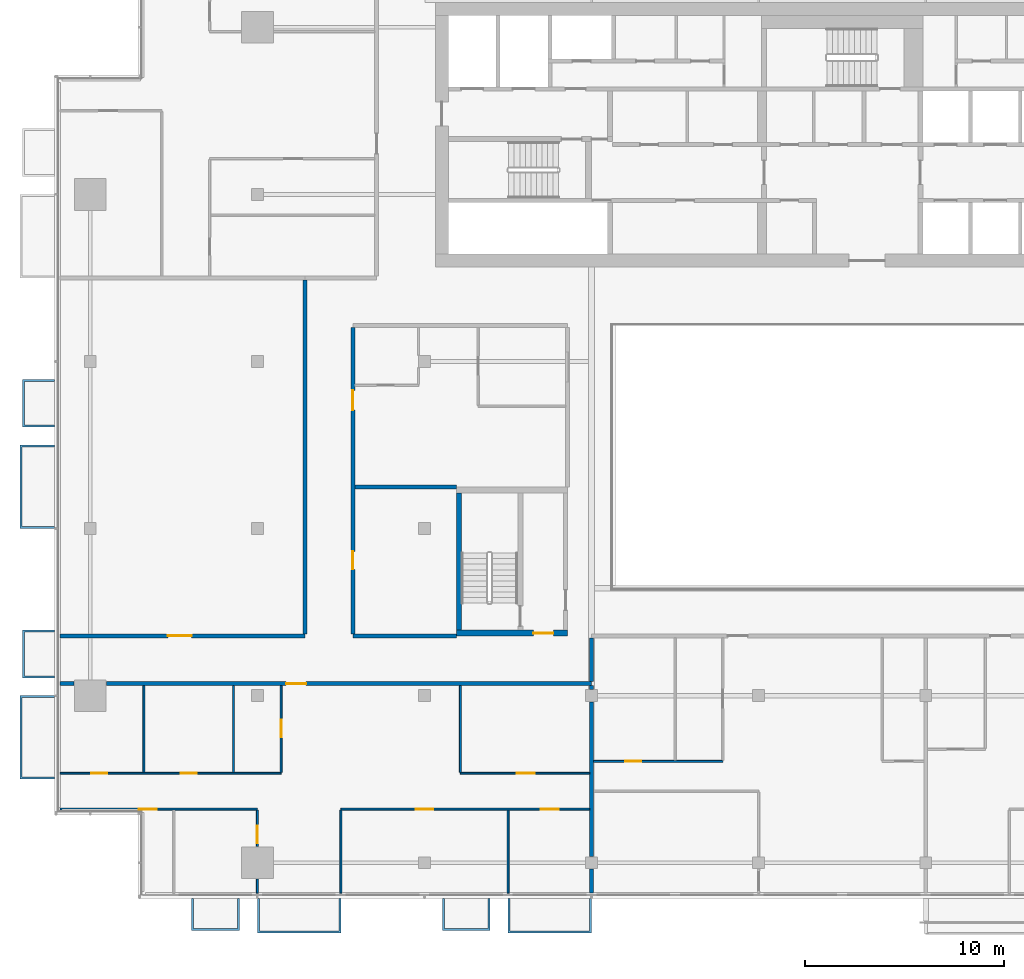
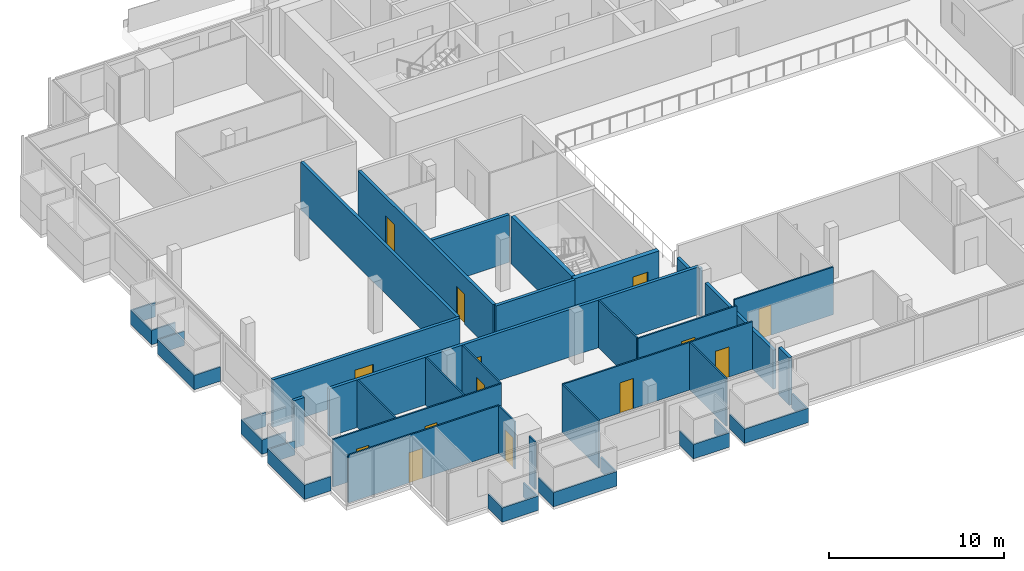
# One storey, part 17 of 27: 34 walls, 14 doors, 14 openings.
"""IFC4 building model written with IfcOpenShell, lengths in metres."""

from ifc_helpers import new_model, si_unit, direction, frame, frame_2d, origin, place, context, subcontext, project, spatial, polyline, rectangle, outline, extrude, material, layer, layer_set, type_object, element, fill, save


model = new_model("IFC4")

# Units and contexts
model_context = context("Model", 3, precision=1e-05, world=origin(), true_north=direction((0.0, 1.0)))
body_context = subcontext(model_context, "Body", "Model", "MODEL_VIEW")
ifc_project = project(units=[si_unit("LENGTHUNIT", "METRE"), si_unit("AREAUNIT", "SQUARE_METRE"), si_unit("VOLUMEUNIT", "CUBIC_METRE"), si_unit("PLANEANGLEUNIT", "RADIAN"), si_unit("MASSUNIT", "GRAM", prefix="KILO")], contexts=[model_context])

# Site, building, storey
site_placement = place(None, origin())
site = spatial("IfcSite", under=ifc_project, at=site_placement, CompositionType="ELEMENT")
building_placement = place(site_placement, origin())
building = spatial("IfcBuilding", under=site, at=building_placement, Name="Saffron Gate Tower", CompositionType="ELEMENT")
storey_placement = place(building_placement, frame((0.0, 0.0, 212.699951171875)))
storey = spatial("IfcBuildingStorey", under=building, at=storey_placement, Name="L51", CompositionType="ELEMENT", Elevation=212.699951171875)

# Wall
ifc_material_1 = material(Name="Concrete C60", Category="concrete")
ifc_layer_1 = layer(ifc_material_1, 0.25)
ifc_layer_set_1 = layer_set([ifc_layer_1], Name="CW14 RC core wall 250 C60")
wall_type_1 = type_object("IfcWallType", Name="CW14 RC core wall 250 C60", PredefinedType="SOLIDWALL", material=ifc_layer_set_1)
wall_1_placement = place(storey_placement, frame((68.324951171875, 43.5, 0.0), z_axis=(0.0, 0.0, 1.0), x_axis=(0.0, 1.0, 0.0)))
element("IfcWall", 1, at=wall_1_placement, inside=storey, type_object=wall_type_1, Name="Wall CW14-L51-D-2", PredefinedType="SOLIDWALL", context=body_context, shape_type="SweptSolid", body=[
    extrude(rectangle(XDim=6.89990234375, YDim=0.25, at=frame_2d((3.449951171875, 0.0))), origin(), (0.0, 0.0, 1.0), 3.320068359375),
])

# Wall, opening, door
ifc_layer_2 = layer(ifc_material_1, 0.300048828125)
ifc_layer_set_2 = layer_set([ifc_layer_2], Name="CW17 RC core wall 300 C60")
wall_type_2 = type_object("IfcWallType", Name="CW17 RC core wall 300 C60", PredefinedType="SOLIDWALL", material=ifc_layer_set_2)
wall_2_placement = place(storey_placement, frame((68.199951171875, 43.35009765625, 0.0), z_axis=(0.0, 0.0, 1.0), x_axis=(1.0, 0.0, 0.0)))
wall_2 = element("IfcWall", 2, at=wall_2_placement, inside=storey, type_object=wall_type_2, Name="Wall CW17-L51-D-1", PredefinedType="SOLIDWALL", context=body_context, shape_type="SweptSolid", body=[
    extrude(rectangle(XDim=5.60009765625, YDim=0.300048828125, at=frame_2d((2.800048828125, 0.0))), origin(), (0.0, 0.0, 1.0), 3.320068359375),
])
opening_1_placement = place(wall_2_placement, frame((3.875, 0.0, 0.0)))
opening_1 = element("IfcOpeningElement", 3, at=opening_1_placement, cuts=wall_2, Name="Opening CR-18", PredefinedType="OPENING", context=body_context, shape_type="SweptSolid", body=[
    extrude(rectangle(XDim=1.0, YDim=2.10009765625, at=frame_2d((0.5, 1.050048828125))), frame((0.0, 0.16015625, 0.0), z_axis=(0.0, -1.0, 0.0), x_axis=(1.0, 0.0, 0.0)), (0.0, 0.0, 1.0), 0.320068359375),
])
ifc_material_2 = material(Name="Steel fire door set", Category="steel")
door_type_1 = type_object("IfcDoorType", Name="CD4 Lobby door 1000x2100 EI 120", OperationType="NOTDEFINED", PredefinedType="DOOR", material=ifc_material_2)
door_1_placement = place(opening_1_placement, origin())
door_1 = element("IfcDoor", 4, at=door_1_placement, inside=storey, type_object=door_type_1, Name="DOOR CR-18", OperationType="SINGLE_SWING_RIGHT", OverallHeight=2.10009765625, OverallWidth=1.0, PredefinedType="DOOR", context=body_context, shape_type="SweptSolid", body=[
    extrude(rectangle(XDim=1.0, YDim=2.10009765625, at=frame_2d((0.5, 1.050048828125))), frame((0.0, 0.02490234375, 0.0), z_axis=(0.0, -1.0, 0.0), x_axis=(1.0, 0.0, 0.0)), (0.0, 0.0, 1.0), 0.050048828125),
])
fill(opening_1, door_1)

ifc_material_3 = material(Name="Plasterboard on steel studs", Category="steel")
ifc_layer_3 = layer(ifc_material_3, 0.10009765625)
ifc_layer_set_3 = layer_set([ifc_layer_3], Name="PW1 Partition 100")
wall_type_3 = type_object("IfcWallType", Name="PW1 Partition 100", PredefinedType="PARTITIONING", material=ifc_layer_set_3)
wall_3_placement = place(storey_placement, frame((58.199951171875, 34.5, 0.0), z_axis=(0.0, 0.0, 1.0), x_axis=(-1.0, 0.0, 0.0)))
wall_3 = element("IfcWall", 5, at=wall_3_placement, inside=storey, type_object=wall_type_3, Name="Partition D1-1", PredefinedType="PARTITIONING", context=body_context, shape_type="SweptSolid", body=[
    extrude(rectangle(XDim=9.919921875, YDim=0.10009765625, at=frame_2d((4.9599609375, 0.0))), origin(), (0.0, 0.0, 1.0), 3.320068359375),
])
opening_2_placement = place(wall_3_placement, frame((5.0537109375, 0.0, 0.0)))
opening_2 = element("IfcOpeningElement", 6, at=opening_2_placement, cuts=wall_3, Name="Opening D1-9", PredefinedType="OPENING", context=body_context, shape_type="SweptSolid", body=[
    extrude(rectangle(XDim=0.89990234375, YDim=2.10009765625, at=frame_2d((0.449951171875, 1.050048828125))), frame((0.0, 0.06005859375, 0.0), z_axis=(0.0, -1.0, 0.0), x_axis=(1.0, 0.0, 0.0)), (0.0, 0.0, 1.0), 0.1201171875),
])
ifc_material_4 = material(Name="Timber door set", Category="wood")
door_type_2 = type_object("IfcDoorType", Name="RD1 Room door 900x2100", OperationType="NOTDEFINED", PredefinedType="DOOR", material=ifc_material_4)
door_2_placement = place(opening_2_placement, origin())
door_2 = element("IfcDoor", 7, at=door_2_placement, inside=storey, type_object=door_type_2, Name="Door D1-9", OperationType="SINGLE_SWING_LEFT", OverallHeight=2.10009765625, OverallWidth=0.89990234375, PredefinedType="DOOR", context=body_context, shape_type="SweptSolid", body=[
    extrude(rectangle(XDim=0.89990234375, YDim=2.10009765625, at=frame_2d((0.449951171875, 1.050048828125))), frame((0.0, 0.02490234375, 0.0), z_axis=(0.0, -1.0, 0.0), x_axis=(1.0, 0.0, 0.0)), (0.0, 0.0, 1.0), 0.050048828125),
])
fill(opening_2, door_2)

# Wall, openings, doors
wall_4_placement = place(storey_placement, frame((74.89990234375, 34.5, 0.0), z_axis=(0.0, 0.0, 1.0), x_axis=(-1.0, 0.0, 0.0)))
wall_4 = element("IfcWall", 8, at=wall_4_placement, inside=storey, type_object=wall_type_3, Name="Partition D1-2", PredefinedType="PARTITIONING", context=body_context, shape_type="SweptSolid", body=[
    extrude(rectangle(XDim=12.5, YDim=0.10009765625, at=frame_2d((6.25, 0.0))), origin(), (0.0, 0.0, 1.0), 3.320068359375),
])
opening_3_placement = place(wall_4_placement, frame((1.550048828125, 0.0, 0.0)))
opening_3 = element("IfcOpeningElement", 9, at=opening_3_placement, cuts=wall_4, Name="Opening D1-12", PredefinedType="OPENING", context=body_context, shape_type="SweptSolid", body=[
    extrude(rectangle(XDim=0.89990234375, YDim=2.10009765625, at=frame_2d((0.449951171875, 1.050048828125))), frame((0.0, 0.06005859375, 0.0), z_axis=(0.0, -1.0, 0.0), x_axis=(1.0, 0.0, 0.0)), (0.0, 0.0, 1.0), 0.1201171875),
])
opening_4_placement = place(wall_4_placement, frame((7.85009765625, 0.0, 0.0)))
opening_4 = element("IfcOpeningElement", 10, at=opening_4_placement, cuts=wall_4, Name="Opening D1-11", PredefinedType="OPENING", context=body_context, shape_type="SweptSolid", body=[
    extrude(rectangle(XDim=0.89990234375, YDim=2.10009765625, at=frame_2d((0.449951171875, 1.050048828125))), frame((0.0, 0.06005859375, 0.0), z_axis=(0.0, -1.0, 0.0), x_axis=(1.0, 0.0, 0.0)), (0.0, 0.0, 1.0), 0.1201171875),
])
door_3_placement = place(opening_3_placement, origin())
door_3 = element("IfcDoor", 11, at=door_3_placement, inside=storey, type_object=door_type_2, Name="Door D1-12", OperationType="SINGLE_SWING_LEFT", OverallHeight=2.10009765625, OverallWidth=0.89990234375, PredefinedType="DOOR", context=body_context, shape_type="SweptSolid", body=[
    extrude(rectangle(XDim=0.89990234375, YDim=2.10009765625, at=frame_2d((0.449951171875, 1.050048828125))), frame((0.0, 0.02490234375, 0.0), z_axis=(0.0, -1.0, 0.0), x_axis=(1.0, 0.0, 0.0)), (0.0, 0.0, 1.0), 0.050048828125),
])
fill(opening_3, door_3)
door_4_placement = place(opening_4_placement, origin())
door_4 = element("IfcDoor", 12, at=door_4_placement, inside=storey, type_object=door_type_2, Name="Door D1-11", OperationType="SINGLE_SWING_RIGHT", OverallHeight=2.10009765625, OverallWidth=0.89990234375, PredefinedType="DOOR", context=body_context, shape_type="SweptSolid", body=[
    extrude(rectangle(XDim=0.89990234375, YDim=2.10009765625, at=frame_2d((0.449951171875, 1.050048828125))), frame((0.0, 0.02490234375, 0.0), z_axis=(0.0, -1.0, 0.0), x_axis=(1.0, 0.0, 0.0)), (0.0, 0.0, 1.0), 0.050048828125),
])
fill(opening_4, door_4)

wall_5_placement = place(storey_placement, frame((48.280029296875, 36.300048828125, 0.0), z_axis=(0.0, 0.0, 1.0), x_axis=(1.0, 0.0, 0.0)))
wall_5 = element("IfcWall", 13, at=wall_5_placement, inside=storey, type_object=wall_type_3, Name="Partition D1-5", PredefinedType="PARTITIONING", context=body_context, shape_type="SweptSolid", body=[
    extrude(rectangle(XDim=11.119873046875, YDim=0.10009765625, at=frame_2d((5.56005859375, 0.0))), origin(), (0.0, 0.0, 1.0), 3.320068359375),
])
opening_5_placement = place(wall_5_placement, frame((1.570068359375, 0.0, 0.0)))
opening_5 = element("IfcOpeningElement", 14, at=opening_5_placement, cuts=wall_5, Name="Opening D1-32", PredefinedType="OPENING", context=body_context, shape_type="SweptSolid", body=[
    extrude(rectangle(XDim=0.800048828125, YDim=2.10009765625, at=frame_2d((0.39990234375, 1.050048828125))), frame((0.0, 0.06005859375, 0.0), z_axis=(0.0, -1.0, 0.0), x_axis=(1.0, 0.0, 0.0)), (0.0, 0.0, 1.0), 0.1201171875),
])
opening_6_placement = place(wall_5_placement, frame((6.070068359375, 0.0, 0.0)))
opening_6 = element("IfcOpeningElement", 15, at=opening_6_placement, cuts=wall_5, Name="Opening D1-33", PredefinedType="OPENING", context=body_context, shape_type="SweptSolid", body=[
    extrude(rectangle(XDim=0.800048828125, YDim=2.10009765625, at=frame_2d((0.39990234375, 1.050048828125))), frame((0.0, 0.06005859375, 0.0), z_axis=(0.0, -1.0, 0.0), x_axis=(1.0, 0.0, 0.0)), (0.0, 0.0, 1.0), 0.1201171875),
])
door_type_3 = type_object("IfcDoorType", Name="RD2 Bathroom door 800x2100", OperationType="NOTDEFINED", PredefinedType="DOOR", material=ifc_material_4)
door_5_placement = place(opening_5_placement, origin())
door_5 = element("IfcDoor", 16, at=door_5_placement, inside=storey, type_object=door_type_3, Name="Door D1-32", OperationType="SINGLE_SWING_LEFT", OverallHeight=2.10009765625, OverallWidth=0.800048828125, PredefinedType="DOOR", context=body_context, shape_type="SweptSolid", body=[
    extrude(rectangle(XDim=0.800048828125, YDim=2.10009765625, at=frame_2d((0.39990234375, 1.050048828125))), frame((0.0, 0.02490234375, 0.0), z_axis=(0.0, -1.0, 0.0), x_axis=(1.0, 0.0, 0.0)), (0.0, 0.0, 1.0), 0.050048828125),
])
fill(opening_5, door_5)
door_6_placement = place(opening_6_placement, origin())
door_6 = element("IfcDoor", 17, at=door_6_placement, inside=storey, type_object=door_type_3, Name="Door D1-33", OperationType="SINGLE_SWING_LEFT", OverallHeight=2.10009765625, OverallWidth=0.800048828125, PredefinedType="DOOR", context=body_context, shape_type="SweptSolid", body=[
    extrude(rectangle(XDim=0.800048828125, YDim=2.10009765625, at=frame_2d((0.39990234375, 1.050048828125))), frame((0.0, 0.02490234375, 0.0), z_axis=(0.0, -1.0, 0.0), x_axis=(1.0, 0.0, 0.0)), (0.0, 0.0, 1.0), 0.050048828125),
])
fill(opening_6, door_6)

# Wall, opening, door
wall_6_placement = place(storey_placement, frame((68.39990234375, 36.300048828125, 0.0), z_axis=(0.0, 0.0, 1.0), x_axis=(1.0, 0.0, 0.0)))
wall_6 = element("IfcWall", 18, at=wall_6_placement, inside=storey, type_object=wall_type_3, Name="Partition D1-6", PredefinedType="PARTITIONING", context=body_context, shape_type="SweptSolid", body=[
    extrude(rectangle(XDim=6.5, YDim=0.10009765625, at=frame_2d((3.25, 0.0))), origin(), (0.0, 0.0, 1.0), 3.320068359375),
])
opening_7_placement = place(wall_6_placement, frame((2.85009765625, 0.0, 0.0)))
opening_7 = element("IfcOpeningElement", 19, at=opening_7_placement, cuts=wall_6, Name="Opening D1-13", PredefinedType="OPENING", context=body_context, shape_type="SweptSolid", body=[
    extrude(rectangle(XDim=0.89990234375, YDim=2.10009765625, at=frame_2d((0.449951171875, 1.050048828125))), frame((0.0, 0.06005859375, 0.0), z_axis=(0.0, -1.0, 0.0), x_axis=(1.0, 0.0, 0.0)), (0.0, 0.0, 1.0), 0.1201171875),
])
door_7_placement = place(opening_7_placement, origin())
door_7 = element("IfcDoor", 20, at=door_7_placement, inside=storey, type_object=door_type_2, Name="Door D1-13", OperationType="SINGLE_SWING_RIGHT", OverallHeight=2.10009765625, OverallWidth=0.89990234375, PredefinedType="DOOR", context=body_context, shape_type="SweptSolid", body=[
    extrude(rectangle(XDim=0.89990234375, YDim=2.10009765625, at=frame_2d((0.449951171875, 1.050048828125))), frame((0.0, 0.02490234375, 0.0), z_axis=(0.0, -1.0, 0.0), x_axis=(1.0, 0.0, 0.0)), (0.0, 0.0, 1.0), 0.050048828125),
])
fill(opening_7, door_7)

wall_7_placement = place(storey_placement, frame((75.10009765625, 36.89990234375, 0.0), z_axis=(0.0, 0.0, 1.0), x_axis=(1.0, 0.0, 0.0)))
wall_7 = element("IfcWall", 21, at=wall_7_placement, inside=storey, type_object=wall_type_3, Name="Partition D1-9", PredefinedType="PARTITIONING", context=body_context, shape_type="SweptSolid", body=[
    extrude(rectangle(XDim=6.5, YDim=0.10009765625, at=frame_2d((3.25, 0.0))), origin(), (0.0, 0.0, 1.0), 3.320068359375),
])
opening_8_placement = place(wall_7_placement, frame((1.603271484375, 0.0, 0.0)))
opening_8 = element("IfcOpeningElement", 22, at=opening_8_placement, cuts=wall_7, Name="Opening D1-34", PredefinedType="OPENING", context=body_context, shape_type="SweptSolid", body=[
    extrude(rectangle(XDim=0.800048828125, YDim=2.10009765625, at=frame_2d((0.39990234375, 1.050048828125))), frame((0.0, 0.06005859375, 0.0), z_axis=(0.0, -1.0, 0.0), x_axis=(1.0, 0.0, 0.0)), (0.0, 0.0, 1.0), 0.1201171875),
])
door_8_placement = place(opening_8_placement, origin())
door_8 = element("IfcDoor", 23, at=door_8_placement, inside=storey, type_object=door_type_3, Name="Door D1-34", OperationType="SINGLE_SWING_LEFT", OverallHeight=2.10009765625, OverallWidth=0.800048828125, PredefinedType="DOOR", context=body_context, shape_type="SweptSolid", body=[
    extrude(rectangle(XDim=0.800048828125, YDim=2.10009765625, at=frame_2d((0.39990234375, 1.050048828125))), frame((0.0, 0.02490234375, 0.0), z_axis=(0.0, -1.0, 0.0), x_axis=(1.0, 0.0, 0.0)), (0.0, 0.0, 1.0), 0.050048828125),
])
fill(opening_8, door_8)

# Walls
for number, where, z_axis, x_axis, name in (
    (24, (52.5, 40.699951171875, 0.0), (0.0, 0.0, 1.0), (0.0, -1.0, 0.0), "Partition D1-45"),
    (25, (57.0, 40.699951171875, 0.0), (0.0, 0.0, 1.0), (0.0, -1.0, 0.0), "Partition D1-50"),
):
    element("IfcWall", number, at=place(storey_placement, frame(where, z_axis=z_axis, x_axis=x_axis)), inside=storey, type_object=wall_type_3, Name=name, PredefinedType="PARTITIONING", context=body_context, shape_type="SweptSolid", body=[
        extrude(rectangle(XDim=4.349853515625, YDim=0.10009765625, at=frame_2d((2.1748046875, 0.0))), origin(), (0.0, 0.0, 1.0), 3.320068359375),
    ])
wall_8_placement = place(storey_placement, frame((58.199951171875, 30.97998046875, 0.0), z_axis=(0.0, 0.0, 1.0), x_axis=(0.0, -1.0, 0.0)))
element("IfcWall", 26, at=wall_8_placement, inside=storey, type_object=wall_type_3, Name="Partition D1-51", PredefinedType="PARTITIONING", context=body_context, shape_type="SweptSolid", body=[
    extrude(rectangle(XDim=0.699951171875, YDim=0.10009765625, at=frame_2d((0.35009765625, 0.0))), origin(), (0.0, 0.0, 1.0), 3.320068359375),
])

# Wall, opening, door
wall_9_placement = place(storey_placement, frame((58.199951171875, 32.6201171875, 0.0), z_axis=(0.0, 0.0, 1.0), x_axis=(0.0, 1.0, 0.0)))
wall_9 = element("IfcWall", 27, at=wall_9_placement, inside=storey, type_object=wall_type_3, Name="Partition D1-52", PredefinedType="PARTITIONING", context=body_context, shape_type="SweptSolid", body=[
    extrude(rectangle(XDim=1.829833984375, YDim=0.10009765625, at=frame_2d((0.9150390625, 0.0))), origin(), (0.0, 0.0, 1.0), 3.320068359375),
])
opening_9_placement = place(wall_9_placement, frame((0.14990234375, 0.0, 0.0)))
opening_9 = element("IfcOpeningElement", 28, at=opening_9_placement, cuts=wall_9, Name="Opening D1-10", PredefinedType="OPENING", context=body_context, shape_type="SweptSolid", body=[
    extrude(rectangle(XDim=0.89990234375, YDim=2.10009765625, at=frame_2d((0.449951171875, 1.050048828125))), frame((0.0, 0.06005859375, 0.0), z_axis=(0.0, -1.0, 0.0), x_axis=(1.0, 0.0, 0.0)), (0.0, 0.0, 1.0), 0.1201171875),
])
door_9_placement = place(opening_9_placement, origin())
door_9 = element("IfcDoor", 29, at=door_9_placement, inside=storey, type_object=door_type_2, Name="Door D1-10", OperationType="SINGLE_SWING_LEFT", OverallHeight=2.10009765625, OverallWidth=0.89990234375, PredefinedType="DOOR", context=body_context, shape_type="SweptSolid", body=[
    extrude(rectangle(XDim=0.89990234375, YDim=2.10009765625, at=frame_2d((0.449951171875, 1.050048828125))), frame((0.0, 0.02490234375, 0.0), z_axis=(0.0, -1.0, 0.0), x_axis=(1.0, 0.0, 0.0)), (0.0, 0.0, 1.0), 0.050048828125),
])
fill(opening_9, door_9)

wall_10_placement = place(storey_placement, frame((59.39990234375, 36.35009765625, 0.0), z_axis=(0.0, 0.0, 1.0), x_axis=(0.0, 1.0, 0.0)))
wall_10 = element("IfcWall", 30, at=wall_10_placement, inside=storey, type_object=wall_type_3, Name="Partition D1-53", PredefinedType="PARTITIONING", context=body_context, shape_type="SweptSolid", body=[
    extrude(rectangle(XDim=4.349853515625, YDim=0.10009765625, at=frame_2d((2.1748046875, 0.0))), origin(), (0.0, 0.0, 1.0), 3.320068359375),
])
opening_10_placement = place(wall_10_placement, frame((1.75, 0.0, 0.0)))
opening_10 = element("IfcOpeningElement", 31, at=opening_10_placement, cuts=wall_10, Name="Opening D1-14", PredefinedType="OPENING", context=body_context, shape_type="SweptSolid", body=[
    extrude(rectangle(XDim=0.89990234375, YDim=2.10009765625, at=frame_2d((0.449951171875, 1.050048828125))), frame((0.0, 0.06005859375, 0.0), z_axis=(0.0, -1.0, 0.0), x_axis=(1.0, 0.0, 0.0)), (0.0, 0.0, 1.0), 0.1201171875),
])
door_10_placement = place(opening_10_placement, origin())
door_10 = element("IfcDoor", 32, at=door_10_placement, inside=storey, type_object=door_type_2, Name="Door D1-14", OperationType="SINGLE_SWING_RIGHT", OverallHeight=2.10009765625, OverallWidth=0.89990234375, PredefinedType="DOOR", context=body_context, shape_type="SweptSolid", body=[
    extrude(rectangle(XDim=0.89990234375, YDim=2.10009765625, at=frame_2d((0.449951171875, 1.050048828125))), frame((0.0, 0.02490234375, 0.0), z_axis=(0.0, -1.0, 0.0), x_axis=(1.0, 0.0, 0.0)), (0.0, 0.0, 1.0), 0.050048828125),
])
fill(opening_10, door_10)

# Walls
wall_11_placement = place(storey_placement, frame((62.39990234375, 34.449951171875, 0.0), z_axis=(0.0, 0.0, 1.0), x_axis=(0.0, -1.0, 0.0)))
element("IfcWall", 33, at=wall_11_placement, inside=storey, type_object=wall_type_3, Name="Partition D1-55", PredefinedType="PARTITIONING", context=body_context, shape_type="SweptSolid", body=[
    extrude(rectangle(XDim=4.169921875, YDim=0.10009765625, at=frame_2d((2.0849609375, 0.0))), origin(), (0.0, 0.0, 1.0), 3.320068359375),
])
wall_12_placement = place(storey_placement, frame((68.39990234375, 40.699951171875, 0.0), z_axis=(0.0, 0.0, 1.0), x_axis=(0.0, -1.0, 0.0)))
element("IfcWall", 34, at=wall_12_placement, inside=storey, type_object=wall_type_3, Name="Partition D1-60", PredefinedType="PARTITIONING", context=body_context, shape_type="SweptSolid", body=[
    extrude(rectangle(XDim=4.349853515625, YDim=0.10009765625, at=frame_2d((2.1748046875, 0.0))), origin(), (0.0, 0.0, 1.0), 3.320068359375),
])
wall_13_placement = place(storey_placement, frame((70.800048828125, 34.449951171875, 0.0), z_axis=(0.0, 0.0, 1.0), x_axis=(0.0, -1.0, 0.0)))
element("IfcWall", 35, at=wall_13_placement, inside=storey, type_object=wall_type_3, Name="Partition D1-62", PredefinedType="PARTITIONING", context=body_context, shape_type="SweptSolid", body=[
    extrude(rectangle(XDim=4.169921875, YDim=0.10009765625, at=frame_2d((2.0849609375, 0.0))), origin(), (0.0, 0.0, 1.0), 3.320068359375),
])
ifc_material_5 = material(Name="Clay brick masonry, rendered", Category="masonry")
ifc_layer_4 = layer(ifc_material_5, 0.199951171875)
ifc_layer_set_4 = layer_set([ifc_layer_4], Name="PW2 Demising wall 200")
wall_type_4 = type_object("IfcWallType", Name="PW2 Demising wall 200", PredefinedType="PARTITIONING", material=ifc_layer_set_4)
wall_14_placement = place(storey_placement, frame((63.10009765625, 50.699951171875, 0.0), z_axis=(0.0, 0.0, 1.0), x_axis=(1.0, 0.0, 0.0)))
element("IfcWall", 36, at=wall_14_placement, inside=storey, type_object=wall_type_4, Name="Wall D1-21", PredefinedType="PARTITIONING", context=body_context, shape_type="SweptSolid", body=[
    extrude(rectangle(XDim=5.099853515625, YDim=0.199951171875, at=frame_2d((2.5498046875, 0.0))), origin(), (0.0, 0.0, 1.0), 3.320068359375),
])
wall_15_placement = place(storey_placement, frame((75.0, 31.47998046875, 0.0), z_axis=(0.0, 0.0, 1.0), x_axis=(0.0, -1.0, 0.0)))
element("IfcWall", 37, at=wall_15_placement, inside=storey, type_object=wall_type_4, Name="Wall D1-65", PredefinedType="PARTITIONING", context=body_context, shape_type="SweptSolid", body=[
    extrude(rectangle(XDim=1.199951171875, YDim=0.199951171875, at=frame_2d((0.60009765625, 0.0))), origin(), (0.0, 0.0, 1.0), 3.320068359375),
])
wall_16_placement = place(storey_placement, frame((75.0, 39.8798828125, 0.0), z_axis=(0.0, 0.0, 1.0), x_axis=(0.0, -1.0, 0.0)))
element("IfcWall", 38, at=wall_16_placement, inside=storey, type_object=wall_type_4, Name="Wall D1-66", PredefinedType="PARTITIONING", context=body_context, shape_type="SweptSolid", body=[
    extrude(rectangle(XDim=7.759765625, YDim=0.199951171875, at=frame_2d((3.8798828125, 0.0))), origin(), (0.0, 0.0, 1.0), 2.719970703125),
])
wall_17_placement = place(storey_placement, frame((75.0, 40.699951171875, 0.0), z_axis=(0.0, 0.0, 1.0), x_axis=(0.0, -1.0, 0.0)))
element("IfcWall", 39, at=wall_17_placement, inside=storey, type_object=wall_type_4, Name="Wall D1-67", PredefinedType="PARTITIONING", context=body_context, shape_type="SweptSolid", body=[
    extrude(rectangle(XDim=0.179931640625, YDim=0.199951171875, at=frame_2d((0.08984375, 0.0))), origin(), (0.0, 0.0, 1.0), 3.320068359375),
])
ifc_layer_5 = layer(ifc_material_5, 0.199951171875)
ifc_layer_set_5 = layer_set([ifc_layer_5], Name="PW3 Corridor wall 200")
wall_type_5 = type_object("IfcWallType", Name="PW3 Corridor wall 200", PredefinedType="PARTITIONING", material=ifc_layer_set_5)
wall_18_placement = place(storey_placement, frame((48.280029296875, 40.800048828125, 0.0), z_axis=(0.0, 0.0, 1.0), x_axis=(1.0, 0.0, 0.0)))
element("IfcWall", 40, at=wall_18_placement, inside=storey, type_object=wall_type_5, Name="Wall D1-12", PredefinedType="PARTITIONING", context=body_context, shape_type="SweptSolid", body=[
    extrude(rectangle(XDim=0.699951171875, YDim=0.199951171875, at=frame_2d((0.35009765625, 0.0))), origin(), (0.0, 0.0, 1.0), 3.320068359375),
])

# Wall, opening, door
wall_19_placement = place(storey_placement, frame((75.0, 40.800048828125, 0.0), z_axis=(0.0, 0.0, 1.0), x_axis=(-1.0, 0.0, 0.0)))
wall_19 = element("IfcWall", 41, at=wall_19_placement, inside=storey, type_object=wall_type_5, Name="Wall D1-13", PredefinedType="PARTITIONING", context=body_context, shape_type="SweptSolid", body=[
    extrude(rectangle(XDim=24.3798828125, YDim=0.199951171875, at=frame_2d((12.18994140625, 0.0))), origin(), (0.0, 0.0, 1.0), 3.320068359375),
])
opening_11_placement = place(wall_19_placement, frame((14.35009765625, 0.0, 0.0)))
opening_11 = element("IfcOpeningElement", 42, at=opening_11_placement, cuts=wall_19, Name="Opening D1-1", PredefinedType="OPENING", context=body_context, shape_type="SweptSolid", body=[
    extrude(rectangle(XDim=1.0, YDim=2.10009765625, at=frame_2d((0.5, 1.050048828125))), frame((0.0, 0.10986328125, 0.0), z_axis=(0.0, -1.0, 0.0), x_axis=(1.0, 0.0, 0.0)), (0.0, 0.0, 1.0), 0.219970703125),
])
ifc_material_6 = material(Name="Timber fire door set", Category="wood")
door_type_4 = type_object("IfcDoorType", Name="FD1 Flat entry door 1000x2100", OperationType="NOTDEFINED", PredefinedType="DOOR", material=ifc_material_6)
door_11_placement = place(opening_11_placement, origin())
door_11 = element("IfcDoor", 43, at=door_11_placement, inside=storey, type_object=door_type_4, Name="Door D1-1", OperationType="SINGLE_SWING_LEFT", OverallHeight=2.10009765625, OverallWidth=1.0, PredefinedType="DOOR", context=body_context, shape_type="SweptSolid", body=[
    extrude(rectangle(XDim=1.0, YDim=2.10009765625, at=frame_2d((0.5, 1.050048828125))), frame((0.0, 0.02490234375, 0.0), z_axis=(0.0, -1.0, 0.0), x_axis=(1.0, 0.0, 0.0)), (0.0, 0.0, 1.0), 0.050048828125),
])
fill(opening_11, door_11)

wall_20_placement = place(storey_placement, frame((48.280029296875, 43.199951171875, 0.0), z_axis=(0.0, 0.0, 1.0), x_axis=(1.0, 0.0, 0.0)))
wall_20 = element("IfcWall", 44, at=wall_20_placement, inside=storey, type_object=wall_type_5, Name="Wall D1-16", PredefinedType="PARTITIONING", context=body_context, shape_type="SweptSolid", body=[
    extrude(rectangle(XDim=12.320068359375, YDim=0.199951171875, at=frame_2d((6.16015625, 0.0))), origin(), (0.0, 0.0, 1.0), 3.320068359375),
])
opening_12_placement = place(wall_20_placement, frame((5.419921875, 0.0, 0.0)))
opening_12 = element("IfcOpeningElement", 45, at=opening_12_placement, cuts=wall_20, Name="Opening D1-45", PredefinedType="OPENING", context=body_context, shape_type="SweptSolid", body=[
    extrude(rectangle(XDim=1.199951171875, YDim=2.10009765625, at=frame_2d((0.60009765625, 1.050048828125))), frame((0.0, 0.10986328125, 0.0), z_axis=(0.0, -1.0, 0.0), x_axis=(1.0, 0.0, 0.0)), (0.0, 0.0, 1.0), 0.219970703125),
])
door_type_5 = type_object("IfcDoorType", Name="HD1 Hall door 1200x2100", OperationType="NOTDEFINED", PredefinedType="DOOR", material=ifc_material_4)
door_12_placement = place(opening_12_placement, origin())
door_12 = element("IfcDoor", 46, at=door_12_placement, inside=storey, type_object=door_type_5, Name="Door D1-45", OperationType="SINGLE_SWING_LEFT", OverallHeight=2.10009765625, OverallWidth=1.199951171875, PredefinedType="DOOR", context=body_context, shape_type="SweptSolid", body=[
    extrude(rectangle(XDim=1.199951171875, YDim=2.10009765625, at=frame_2d((0.60009765625, 1.050048828125))), frame((0.0, 0.02490234375, 0.0), z_axis=(0.0, -1.0, 0.0), x_axis=(1.0, 0.0, 0.0)), (0.0, 0.0, 1.0), 0.050048828125),
])
fill(opening_12, door_12)

# Walls
wall_21_placement = place(storey_placement, frame((63.0, 43.199951171875, 0.0), z_axis=(0.0, 0.0, 1.0), x_axis=(1.0, 0.0, 0.0)))
element("IfcWall", 47, at=wall_21_placement, inside=storey, type_object=wall_type_5, Name="Wall D1-17", PredefinedType="PARTITIONING", context=body_context, shape_type="SweptSolid", body=[
    extrude(rectangle(XDim=5.199951171875, YDim=0.199951171875, at=frame_2d((2.60009765625, 0.0))), origin(), (0.0, 0.0, 1.0), 3.320068359375),
])
wall_22_placement = place(storey_placement, frame((60.60009765625, 61.10009765625, 0.0), z_axis=(0.0, 0.0, 1.0), x_axis=(0.0, -1.0, 0.0)))
element("IfcWall", 48, at=wall_22_placement, inside=storey, type_object=wall_type_5, Name="Wall D1-54", PredefinedType="PARTITIONING", context=body_context, shape_type="SweptSolid", body=[
    extrude(rectangle(XDim=17.800048828125, YDim=0.199951171875, at=frame_2d((8.89990234375, 0.0))), origin(), (0.0, 0.0, 1.0), 3.320068359375),
])

# Wall, openings, doors
wall_23_placement = place(storey_placement, frame((63.0, 58.699951171875, 0.0), z_axis=(0.0, 0.0, 1.0), x_axis=(0.0, -1.0, 0.0)))
wall_23 = element("IfcWall", 49, at=wall_23_placement, inside=storey, type_object=wall_type_5, Name="Wall D1-56", PredefinedType="PARTITIONING", context=body_context, shape_type="SweptSolid", body=[
    extrude(rectangle(XDim=15.39990234375, YDim=0.199951171875, at=frame_2d((7.699951171875, 0.0))), origin(), (0.0, 0.0, 1.0), 3.320068359375),
])
opening_13_placement = place(wall_23_placement, frame((3.14990234375, 0.0, 0.0)))
opening_13 = element("IfcOpeningElement", 50, at=opening_13_placement, cuts=wall_23, Name="Opening D1-7", PredefinedType="OPENING", context=body_context, shape_type="SweptSolid", body=[
    extrude(rectangle(XDim=1.0, YDim=2.10009765625, at=frame_2d((0.5, 1.050048828125))), frame((0.0, 0.10986328125, 0.0), z_axis=(0.0, -1.0, 0.0), x_axis=(1.0, 0.0, 0.0)), (0.0, 0.0, 1.0), 0.219970703125),
])
opening_14_placement = place(wall_23_placement, frame((11.25, 0.0, 0.0)))
opening_14 = element("IfcOpeningElement", 51, at=opening_14_placement, cuts=wall_23, Name="Opening D1-43", PredefinedType="OPENING", context=body_context, shape_type="SweptSolid", body=[
    extrude(rectangle(XDim=0.89990234375, YDim=2.10009765625, at=frame_2d((0.449951171875, 1.050048828125))), frame((0.0, 0.10986328125, 0.0), z_axis=(0.0, -1.0, 0.0), x_axis=(1.0, 0.0, 0.0)), (0.0, 0.0, 1.0), 0.219970703125),
])
door_13_placement = place(opening_13_placement, origin())
door_13 = element("IfcDoor", 52, at=door_13_placement, inside=storey, type_object=door_type_4, Name="Door D1-7", OperationType="SINGLE_SWING_LEFT", OverallHeight=2.10009765625, OverallWidth=1.0, PredefinedType="DOOR", context=body_context, shape_type="SweptSolid", body=[
    extrude(rectangle(XDim=1.0, YDim=2.10009765625, at=frame_2d((0.5, 1.050048828125))), frame((0.0, 0.02490234375, 0.0), z_axis=(0.0, -1.0, 0.0), x_axis=(1.0, 0.0, 0.0)), (0.0, 0.0, 1.0), 0.050048828125),
])
fill(opening_13, door_13)
door_type_6 = type_object("IfcDoorType", Name="SD1 Service door 900x2100", OperationType="NOTDEFINED", PredefinedType="DOOR", material=ifc_material_2)
door_14_placement = place(opening_14_placement, origin())
door_14 = element("IfcDoor", 53, at=door_14_placement, inside=storey, type_object=door_type_6, Name="Door D1-43", OperationType="SINGLE_SWING_RIGHT", OverallHeight=2.10009765625, OverallWidth=0.89990234375, PredefinedType="DOOR", context=body_context, shape_type="SweptSolid", body=[
    extrude(rectangle(XDim=0.89990234375, YDim=2.10009765625, at=frame_2d((0.449951171875, 1.050048828125))), frame((0.0, 0.02490234375, 0.0), z_axis=(0.0, -1.0, 0.0), x_axis=(1.0, 0.0, 0.0)), (0.0, 0.0, 1.0), 0.050048828125),
])
fill(opening_14, door_14)

# Walls
wall_24_placement = place(storey_placement, frame((75.0, 43.10009765625, 0.0), z_axis=(0.0, 0.0, 1.0), x_axis=(0.0, -1.0, 0.0)))
element("IfcWall", 54, at=wall_24_placement, inside=storey, type_object=wall_type_5, Name="Wall D1-64", PredefinedType="PARTITIONING", context=body_context, shape_type="SweptSolid", body=[
    extrude(rectangle(XDim=2.2001953125, YDim=0.199951171875, at=frame_2d((1.10009765625, 0.0))), origin(), (0.0, 0.0, 1.0), 2.530029296875),
])
ifc_material_7 = material(Name="Rendered insulated panel, white")
ifc_layer_6 = layer(ifc_material_7, 0.10009765625)
ifc_layer_set_6 = layer_set([ifc_layer_6], Name="WB3 box parapet white")
wall_type_6 = type_object("IfcWallType", Name="WB3 box parapet white", PredefinedType="SOLIDWALL", material=ifc_layer_set_6)
wall_25_placement = place(storey_placement, origin())
element("IfcWall", 55, at=wall_25_placement, inside=storey, type_object=wall_type_6, Name="WINDOW BOX parapet", PredefinedType="SOLIDWALL", context=body_context, shape_type="SweptSolid", body=[
    extrude(outline(polyline([(54.89990234375, 30.0), (55.0, 30.0), (55.0, 28.5), (57.199951171875, 28.5), (57.199951171875, 30.0), (57.300048828125, 30.0), (57.300048828125, 28.39990234375), (54.89990234375, 28.39990234375), (54.89990234375, 30.0)])), origin(), (0.0, 0.0, 1.0), 1.0),
])
wall_26_placement = place(storey_placement, origin())
element("IfcWall", 56, at=wall_26_placement, inside=storey, type_object=wall_type_6, Name="WINDOW BOX parapet", PredefinedType="SOLIDWALL", context=body_context, shape_type="SweptSolid", body=[
    extrude(outline(polyline([(58.199951171875, 30.0), (58.300048828125, 30.0), (58.300048828125, 28.366943359375), (62.300048828125, 28.366943359375), (62.300048828125, 30.0), (62.39990234375, 30.0), (62.39990234375, 28.26708984375), (58.199951171875, 28.26708984375), (58.199951171875, 30.0)])), origin(), (0.0, 0.0, 1.0), 1.0),
])
wall_27_placement = place(storey_placement, origin())
element("IfcWall", 57, at=wall_27_placement, inside=storey, type_object=wall_type_6, Name="WINDOW BOX parapet", PredefinedType="SOLIDWALL", context=body_context, shape_type="SweptSolid", body=[
    extrude(outline(polyline([(67.5, 30.0), (67.60009765625, 30.0), (67.60009765625, 28.5), (69.800048828125, 28.5), (69.800048828125, 30.0), (69.89990234375, 30.0), (69.89990234375, 28.39990234375), (67.5, 28.39990234375), (67.5, 30.0)])), origin(), (0.0, 0.0, 1.0), 1.0),
])
wall_28_placement = place(storey_placement, origin())
element("IfcWall", 58, at=wall_28_placement, inside=storey, type_object=wall_type_6, Name="WINDOW BOX parapet", PredefinedType="SOLIDWALL", context=body_context, shape_type="SweptSolid", body=[
    extrude(outline(polyline([(70.800048828125, 30.0), (70.89990234375, 30.0), (70.89990234375, 28.366943359375), (74.89990234375, 28.366943359375), (74.89990234375, 30.0), (75.0, 30.0), (75.0, 28.26708984375), (70.800048828125, 28.26708984375), (70.800048828125, 30.0)])), origin(), (0.0, 0.0, 1.0), 1.0),
])
wall_29_placement = place(storey_placement, origin())
element("IfcWall", 59, at=wall_29_placement, inside=storey, type_object=wall_type_6, Name="WINDOW BOX parapet", PredefinedType="SOLIDWALL", context=body_context, shape_type="SweptSolid", body=[
    extrude(outline(polyline([(48.0, 56.10009765625), (48.0, 56.0), (46.5, 56.0), (46.5, 53.800048828125), (48.0, 53.800048828125), (48.0, 53.699951171875), (46.39990234375, 53.699951171875), (46.39990234375, 56.10009765625), (48.0, 56.10009765625)])), origin(), (0.0, 0.0, 1.0), 1.0),
])
wall_30_placement = place(storey_placement, origin())
element("IfcWall", 60, at=wall_30_placement, inside=storey, type_object=wall_type_6, Name="WINDOW BOX parapet", PredefinedType="SOLIDWALL", context=body_context, shape_type="SweptSolid", body=[
    extrude(outline(polyline([(48.0, 52.800048828125), (48.0, 52.699951171875), (46.366943359375, 52.699951171875), (46.366943359375, 48.699951171875), (48.0, 48.699951171875), (48.0, 48.60009765625), (46.26708984375, 48.60009765625), (46.26708984375, 52.800048828125), (48.0, 52.800048828125)])), origin(), (0.0, 0.0, 1.0), 1.0),
])
wall_31_placement = place(storey_placement, origin())
element("IfcWall", 61, at=wall_31_placement, inside=storey, type_object=wall_type_6, Name="WINDOW BOX parapet", PredefinedType="SOLIDWALL", context=body_context, shape_type="SweptSolid", body=[
    extrude(outline(polyline([(48.0, 43.5), (48.0, 43.39990234375), (46.5, 43.39990234375), (46.5, 41.199951171875), (48.0, 41.199951171875), (48.0, 41.10009765625), (46.39990234375, 41.10009765625), (46.39990234375, 43.5), (48.0, 43.5)])), origin(), (0.0, 0.0, 1.0), 1.0),
])
wall_32_placement = place(storey_placement, origin())
element("IfcWall", 62, at=wall_32_placement, inside=storey, type_object=wall_type_6, Name="WINDOW BOX parapet", PredefinedType="SOLIDWALL", context=body_context, shape_type="SweptSolid", body=[
    extrude(outline(polyline([(48.0, 40.199951171875), (48.0, 40.10009765625), (46.366943359375, 40.10009765625), (46.366943359375, 36.10009765625), (48.0, 36.10009765625), (48.0, 36.0), (46.26708984375, 36.0), (46.26708984375, 40.199951171875), (48.0, 40.199951171875)])), origin(), (0.0, 0.0, 1.0), 1.0),
])

save(model, "model.ifc")
